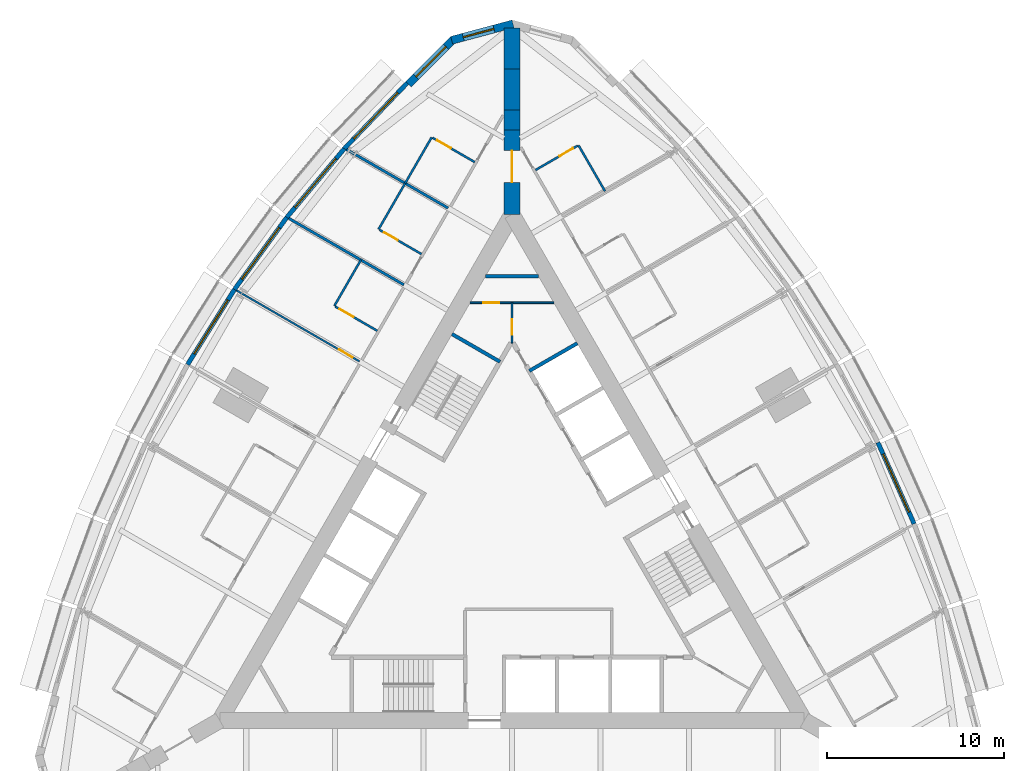
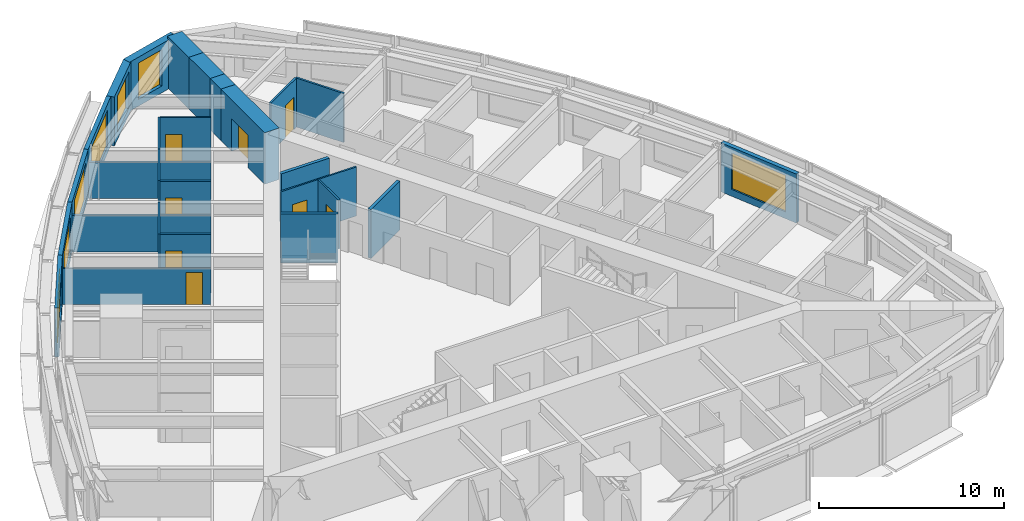
# One storey, part 12 of 14: 27 walls, 8 doors, 7 windows, 15 openings.
"""IFC4 building model written with IfcOpenShell, lengths in metres."""

from ifc_helpers import new_model, si_unit, direction, frame, frame_2d, origin, place, context, subcontext, project, spatial, polyline, rectangle, outline, extrude, material, layer, layer_set, type_object, element, fill, save


model = new_model("IFC4")

# Units and contexts
model_context = context("Model", 3, precision=1e-05, world=origin(), true_north=direction((0.0, 1.0)))
body_context = subcontext(model_context, "Body", "Model", "MODEL_VIEW")
ifc_project = project(units=[si_unit("LENGTHUNIT", "METRE"), si_unit("AREAUNIT", "SQUARE_METRE"), si_unit("VOLUMEUNIT", "CUBIC_METRE"), si_unit("PLANEANGLEUNIT", "RADIAN"), si_unit("MASSUNIT", "GRAM", prefix="KILO")], contexts=[model_context])

# Site, building, storey
site_placement = place(None, origin())
site = spatial("IfcSite", under=ifc_project, at=site_placement, CompositionType="ELEMENT")
building_placement = place(site_placement, origin())
building = spatial("IfcBuilding", under=site, at=building_placement, Name="Trikona Tower", CompositionType="ELEMENT")
storey_placement = place(building_placement, frame((0.0, 0.0, 145.300048828125)))
storey = spatial("IfcBuildingStorey", under=building, at=storey_placement, Name="L38", CompositionType="ELEMENT", Elevation=145.300048828125)

# Wall
ifc_material_1 = material(Name="Metal stud and cement board", Category="gypsum")
ifc_layer_1 = layer(ifc_material_1, 0.1201171875)
ifc_layer_set_1 = layer_set([ifc_layer_1], Name="Bathroom wall 120")
wall_type_1 = type_object("IfcWallType", Name="Bathroom wall 120", PredefinedType="PLUMBINGWALL", material=ifc_layer_set_1)
wall_1_placement = place(storey_placement, frame((5.25341796875, 20.353515625, 0.0), z_axis=(0.0, 0.0, 1.0), x_axis=(-0.499990139034, 0.866031096941, 0.0)))
element("IfcWall", 1, at=wall_1_placement, inside=storey, type_object=wall_type_1, Name="Bathroom wall 3812", PredefinedType="PLUMBINGWALL", context=body_context, shape_type="SweptSolid", body=[
    extrude(rectangle(XDim=3.0, YDim=0.1201171875, at=frame_2d((1.5, 0.0))), origin(), (0.0, 0.0, 1.0), 3.23486328125),
])

# Wall, opening, door
wall_2_placement = place(storey_placement, frame((1.32861328125, 21.551513671875, 0.0), z_axis=(0.0, 0.0, 1.0), x_axis=(0.865997131366, 0.500048966069, 0.0)))
wall_2 = element("IfcWall", 2, at=wall_2_placement, inside=storey, type_object=wall_type_1, Name="Bathroom wall 3812", PredefinedType="PLUMBINGWALL", context=body_context, shape_type="SweptSolid", body=[
    extrude(rectangle(XDim=2.739990234375, YDim=0.1201171875, at=frame_2d((1.3701171875, 0.0))), origin(), (0.0, 0.0, 1.0), 3.23486328125),
])
opening_1_placement = place(wall_2_placement, frame((1.550048828125, 0.0, 0.0)))
opening_1 = element("IfcOpeningElement", 3, at=opening_1_placement, cuts=wall_2, Name="Opening D2", PredefinedType="OPENING", context=body_context, shape_type="SweptSolid", body=[
    extrude(rectangle(XDim=0.89990234375, YDim=2.1298828125, at=frame_2d((0.449951171875, 1.06494140625))), frame((0.0, 0.070068359375, 0.0), z_axis=(0.0, -1.0, 0.0), x_axis=(1.0, 0.0, 0.0)), (0.0, 0.0, 1.0), 0.14013671875),
])
ifc_material_2 = material(Name="Steel door frame with solid-core timber leaf", Category="steel")
door_type_1 = type_object("IfcDoorType", Name="Bathroom door 900x2130", OperationType="SLIDING_TO_LEFT", PredefinedType="DOOR", material=ifc_material_2)
door_1_placement = place(opening_1_placement, origin())
door_1 = element("IfcDoor", 4, at=door_1_placement, inside=storey, type_object=door_type_1, Name="Bathroom door 3812", OperationType="SLIDING_TO_LEFT", OverallHeight=2.1298828125, OverallWidth=0.89990234375, PredefinedType="DOOR", context=body_context, shape_type="SweptSolid", body=[
    extrude(rectangle(XDim=0.89990234375, YDim=2.1298828125, at=frame_2d((0.449951171875, 1.06494140625))), frame((0.0, 0.02490234375, 0.0), z_axis=(0.0, -1.0, 0.0), x_axis=(1.0, 0.0, 0.0)), (0.0, 0.0, 1.0), 0.050048828125),
])
fill(opening_1, door_1)

# Wall
wall_3_placement = place(storey_placement, frame((-4.53271484375, 23.401611328125, 0.0), z_axis=(0.0, 0.0, 1.0), x_axis=(-0.499990139034, -0.866031096941, 0.0)))
element("IfcWall", 5, at=wall_3_placement, inside=storey, type_object=wall_type_1, Name="Bathroom wall 3813", PredefinedType="PLUMBINGWALL", context=body_context, shape_type="SweptSolid", body=[
    extrude(rectangle(XDim=3.0, YDim=0.1201171875, at=frame_2d((1.5, 0.0))), origin(), (0.0, 0.0, 1.0), 3.23486328125),
])

# Wall, opening, door
wall_4_placement = place(storey_placement, frame((-2.10791015625, 22.001708984375, 0.0), z_axis=(0.0, 0.0, 1.0), x_axis=(-0.866035715982, 0.499982138324, 0.0)))
wall_4 = element("IfcWall", 6, at=wall_4_placement, inside=storey, type_object=wall_type_1, Name="Bathroom wall 3813", PredefinedType="PLUMBINGWALL", context=body_context, shape_type="SweptSolid", body=[
    extrude(rectangle(XDim=2.73974609375, YDim=0.1201171875, at=frame_2d((1.369873046875, 0.0))), origin(), (0.0, 0.0, 1.0), 3.23486328125),
])
opening_2_placement = place(wall_4_placement, frame((1.550048828125, 0.0, 0.0)))
opening_2 = element("IfcOpeningElement", 7, at=opening_2_placement, cuts=wall_4, Name="Opening D2", PredefinedType="OPENING", context=body_context, shape_type="SweptSolid", body=[
    extrude(rectangle(XDim=0.89990234375, YDim=2.1298828125, at=frame_2d((0.449951171875, 1.06494140625))), frame((0.0, 0.070068359375, 0.0), z_axis=(0.0, -1.0, 0.0), x_axis=(1.0, 0.0, 0.0)), (0.0, 0.0, 1.0), 0.14013671875),
])
door_2_placement = place(opening_2_placement, origin())
door_2 = element("IfcDoor", 8, at=door_2_placement, inside=storey, type_object=door_type_1, Name="Bathroom door 3813", OperationType="SLIDING_TO_LEFT", OverallHeight=2.1298828125, OverallWidth=0.89990234375, PredefinedType="DOOR", context=body_context, shape_type="SweptSolid", body=[
    extrude(rectangle(XDim=0.89990234375, YDim=2.1298828125, at=frame_2d((0.449951171875, 1.06494140625))), frame((0.0, 0.02490234375, 0.0), z_axis=(0.0, -1.0, 0.0), x_axis=(1.0, 0.0, 0.0)), (0.0, 0.0, 1.0), 0.050048828125),
])
fill(opening_2, door_2)

# Wall
wall_5_placement = place(storey_placement, frame((-6.03271484375, 20.803466796875, 0.0), z_axis=(0.0, 0.0, 1.0), x_axis=(-0.499990139034, -0.866031096941, 0.0)))
element("IfcWall", 9, at=wall_5_placement, inside=storey, type_object=wall_type_1, Name="Bathroom wall 3814", PredefinedType="PLUMBINGWALL", context=body_context, shape_type="SweptSolid", body=[
    extrude(rectangle(XDim=3.0, YDim=0.1201171875, at=frame_2d((1.5, 0.0))), origin(), (0.0, 0.0, 1.0), 3.23486328125),
])

# Wall, opening, door
wall_6_placement = place(storey_placement, frame((-5.10791015625, 16.805419921875, 0.0), z_axis=(0.0, 0.0, 1.0), x_axis=(-0.866035715982, 0.499982138324, 0.0)))
wall_6 = element("IfcWall", 10, at=wall_6_placement, inside=storey, type_object=wall_type_1, Name="Bathroom wall 3814", PredefinedType="PLUMBINGWALL", context=body_context, shape_type="SweptSolid", body=[
    extrude(rectangle(XDim=2.73974609375, YDim=0.1201171875, at=frame_2d((1.369873046875, 0.0))), origin(), (0.0, 0.0, 1.0), 3.23486328125),
])
opening_3_placement = place(wall_6_placement, frame((1.550048828125, 0.0, 0.0)))
opening_3 = element("IfcOpeningElement", 11, at=opening_3_placement, cuts=wall_6, Name="Opening D2", PredefinedType="OPENING", context=body_context, shape_type="SweptSolid", body=[
    extrude(rectangle(XDim=0.89990234375, YDim=2.1298828125, at=frame_2d((0.449951171875, 1.06494140625))), frame((0.0, 0.070068359375, 0.0), z_axis=(0.0, -1.0, 0.0), x_axis=(1.0, 0.0, 0.0)), (0.0, 0.0, 1.0), 0.14013671875),
])
door_3_placement = place(opening_3_placement, origin())
door_3 = element("IfcDoor", 12, at=door_3_placement, inside=storey, type_object=door_type_1, Name="Bathroom door 3814", OperationType="SLIDING_TO_LEFT", OverallHeight=2.1298828125, OverallWidth=0.89990234375, PredefinedType="DOOR", context=body_context, shape_type="SweptSolid", body=[
    extrude(rectangle(XDim=0.89990234375, YDim=2.1298828125, at=frame_2d((0.449951171875, 1.06494140625))), frame((0.0, 0.02490234375, 0.0), z_axis=(0.0, -1.0, 0.0), x_axis=(1.0, 0.0, 0.0)), (0.0, 0.0, 1.0), 0.050048828125),
])
fill(opening_3, door_3)

# Wall
wall_7_placement = place(storey_placement, frame((-8.53271484375, 16.473388671875, 0.0), z_axis=(0.0, 0.0, 1.0), x_axis=(-0.499990139034, -0.866031096941, 0.0)))
element("IfcWall", 13, at=wall_7_placement, inside=storey, type_object=wall_type_1, Name="Bathroom wall 3815.1", PredefinedType="PLUMBINGWALL", context=body_context, shape_type="SweptSolid", body=[
    extrude(rectangle(XDim=3.0, YDim=0.1201171875, at=frame_2d((1.5, 0.0))), origin(), (0.0, 0.0, 1.0), 3.23486328125),
])

# Wall, opening, door
wall_8_placement = place(storey_placement, frame((-7.60791015625, 12.475341796875, 0.0), z_axis=(0.0, 0.0, 1.0), x_axis=(-0.866035715982, 0.499982138324, 0.0)))
wall_8 = element("IfcWall", 14, at=wall_8_placement, inside=storey, type_object=wall_type_1, Name="Bathroom wall 3815.1", PredefinedType="PLUMBINGWALL", context=body_context, shape_type="SweptSolid", body=[
    extrude(rectangle(XDim=2.73974609375, YDim=0.1201171875, at=frame_2d((1.369873046875, 0.0))), origin(), (0.0, 0.0, 1.0), 3.23486328125),
])
opening_4_placement = place(wall_8_placement, frame((1.550048828125, 0.0, 0.0)))
opening_4 = element("IfcOpeningElement", 15, at=opening_4_placement, cuts=wall_8, Name="Opening D2", PredefinedType="OPENING", context=body_context, shape_type="SweptSolid", body=[
    extrude(rectangle(XDim=0.89990234375, YDim=2.1298828125, at=frame_2d((0.449951171875, 1.06494140625))), frame((0.0, 0.070068359375, 0.0), z_axis=(0.0, -1.0, 0.0), x_axis=(1.0, 0.0, 0.0)), (0.0, 0.0, 1.0), 0.14013671875),
])
door_4_placement = place(opening_4_placement, origin())
door_4 = element("IfcDoor", 16, at=door_4_placement, inside=storey, type_object=door_type_1, Name="Bathroom door 3815.1", OperationType="SLIDING_TO_LEFT", OverallHeight=2.1298828125, OverallWidth=0.89990234375, PredefinedType="DOOR", context=body_context, shape_type="SweptSolid", body=[
    extrude(rectangle(XDim=0.89990234375, YDim=2.1298828125, at=frame_2d((0.449951171875, 1.06494140625))), frame((0.0, 0.02490234375, 0.0), z_axis=(0.0, -1.0, 0.0), x_axis=(1.0, 0.0, 0.0)), (0.0, 0.0, 1.0), 0.050048828125),
])
fill(opening_4, door_4)

# Wall, opening, window
ifc_material_3 = material(Name="Brick-faced precast concrete", Category="masonry")
ifc_layer_2 = layer(ifc_material_3, 0.449951171875)
ifc_layer_set_2 = layer_set([ifc_layer_2], Name="Brick-faced corner wall 450")
wall_type_2 = type_object("IfcWallType", Name="Brick-faced corner wall 450", PredefinedType="SOLIDWALL", material=ifc_layer_set_2)
wall_9_placement = place(storey_placement, frame((0.05810546875, 29.804931640625, 0.0), z_axis=(0.0, 0.0, 1.0), x_axis=(-0.965924653531, -0.258823421857, 0.0)))
wall_9 = element("IfcWall", 17, at=wall_9_placement, inside=storey, type_object=wall_type_2, Name="External wall L38-22", PredefinedType="SOLIDWALL", context=body_context, shape_type="SweptSolid", body=[
    extrude(outline(polyline([(3.58642578125, 0.22509765625), (0.58642578125, 0.22509765625), (0.551025390625, 0.09326171875), (0.0595703125, 0.22509765625), (0.0, 0.22509765625), (0.0, -0.22509765625), (3.58642578125, -0.22509765625), (3.58642578125, 0.22509765625)])), origin(), (0.0, 0.0, 1.0), 3.23486328125),
])
opening_5_placement = place(wall_9_placement, frame((1.111328125, 0.0, 0.449951171875)))
opening_5 = element("IfcOpeningElement", 18, at=opening_5_placement, cuts=wall_9, Name="Opening W1824", PredefinedType="OPENING", context=body_context, shape_type="SweptSolid", body=[
    extrude(rectangle(XDim=1.800048828125, YDim=2.39990234375, at=frame_2d((0.89990234375, 1.199951171875))), frame((0.0, 0.23486328125, 0.0), z_axis=(0.0, -1.0, 0.0), x_axis=(1.0, 0.0, 0.0)), (0.0, 0.0, 1.0), 0.469970703125),
])
ifc_material_4 = material(Name="Aluminium-framed double glazing", Category="aluminium")
window_type_1 = type_object("IfcWindowType", Name="Window 1800x2400", PartitioningType="SINGLE_PANEL", PredefinedType="WINDOW", material=ifc_material_4)
window_1_placement = place(opening_5_placement, origin())
window_1 = element("IfcWindow", 19, at=window_1_placement, inside=storey, type_object=window_type_1, Name="Window 3813", OverallHeight=2.39990234375, OverallWidth=1.800048828125, PartitioningType="SINGLE_PANEL", PredefinedType="WINDOW", context=body_context, shape_type="SweptSolid", body=[
    extrude(rectangle(XDim=1.800048828125, YDim=2.39990234375, at=frame_2d((0.89990234375, 1.199951171875))), frame((0.0, 0.030029296875, 0.0), z_axis=(0.0, -1.0, 0.0), x_axis=(1.0, 0.0, 0.0)), (0.0, 0.0, 1.0), 0.06005859375),
])
fill(opening_5, window_1)

wall_10_placement = place(storey_placement, frame((-3.304931640625, 28.934814453125, 0.0), z_axis=(0.0, 0.0, 1.0), x_axis=(-0.707106781187, -0.707106781187, 0.0)))
wall_10 = element("IfcWall", 20, at=wall_10_placement, inside=storey, type_object=wall_type_2, Name="External wall L38-23", PredefinedType="SOLIDWALL", context=body_context, shape_type="SweptSolid", body=[
    extrude(rectangle(XDim=3.586181640625, YDim=0.449951171875, at=frame_2d((1.79296875, 0.0))), origin(), (0.0, 0.0, 1.0), 3.23486328125),
])
opening_6_placement = place(wall_10_placement, frame((0.59326171875, 0.0, 0.449951171875)))
opening_6 = element("IfcOpeningElement", 21, at=opening_6_placement, cuts=wall_10, Name="Opening W2424", PredefinedType="OPENING", context=body_context, shape_type="SweptSolid", body=[
    extrude(rectangle(XDim=2.39990234375, YDim=2.39990234375, at=frame_2d((1.199951171875, 1.199951171875))), frame((0.0, 0.23486328125, 0.0), z_axis=(0.0, -1.0, 0.0), x_axis=(1.0, 0.0, 0.0)), (0.0, 0.0, 1.0), 0.469970703125),
])
ifc_material_5 = material(Name="Aluminium-framed double glazing", Category="aluminium")
window_type_2 = type_object("IfcWindowType", Name="Window 2400x2400", PartitioningType="SINGLE_PANEL", PredefinedType="WINDOW", material=ifc_material_5)
window_2_placement = place(opening_6_placement, origin())
window_2 = element("IfcWindow", 22, at=window_2_placement, inside=storey, type_object=window_type_2, Name="Window 3813", OverallHeight=2.39990234375, OverallWidth=2.39990234375, PartitioningType="SINGLE_PANEL", PredefinedType="WINDOW", context=body_context, shape_type="SweptSolid", body=[
    extrude(rectangle(XDim=2.39990234375, YDim=2.39990234375, at=frame_2d((1.199951171875, 1.199951171875))), frame((0.0, 0.030029296875, 0.0), z_axis=(0.0, -1.0, 0.0), x_axis=(1.0, 0.0, 0.0)), (0.0, 0.0, 1.0), 0.06005859375),
])
fill(opening_6, window_2)

# Wall, opening, door
ifc_material_6 = material(Name="Concrete f'c 10000 psi", Category="concrete")
ifc_layer_3 = layer(ifc_material_6, 0.89990234375)
ifc_layer_set_3 = layer_set([ifc_layer_3], Name="Buttress wall 900")
wall_type_3 = type_object("IfcWallType", Name="Buttress wall 900", PredefinedType="SHEAR", material=ifc_layer_set_3)
wall_11_placement = place(storey_placement, frame((0.0, 19.052490234375, 0.0), z_axis=(0.0, 0.0, 1.0), x_axis=(0.0, 1.0, 0.0)))
wall_11 = element("IfcWall", 23, at=wall_11_placement, inside=storey, type_object=wall_type_3, Name="Buttress wall 2", PredefinedType="SHEAR", context=body_context, shape_type="SweptSolid", body=[
    extrude(rectangle(XDim=4.74609375, YDim=0.89990234375, at=frame_2d((2.373046875, 0.0))), origin(), (0.0, 0.0, 1.0), 3.39990234375),
])
opening_7_placement = place(wall_11_placement, frame((1.800048828125, 0.0, 0.0)))
opening_7 = element("IfcOpeningElement", 24, at=opening_7_placement, cuts=wall_11, Name="Opening D10", PredefinedType="OPENING", context=body_context, shape_type="SweptSolid", body=[
    extrude(rectangle(XDim=1.800048828125, YDim=2.1298828125, at=frame_2d((0.89990234375, 1.06494140625))), frame((0.0, 0.4599609375, 0.0), z_axis=(0.0, -1.0, 0.0), x_axis=(1.0, 0.0, 0.0)), (0.0, 0.0, 1.0), 0.919921875),
])
ifc_material_7 = material(Name="Hollow metal door and frame", Category="steel")
door_type_2 = type_object("IfcDoorType", Name="Cross-corridor door pair 1800x2130", OperationType="DOUBLE_DOOR_DOUBLE_SWING", PredefinedType="DOOR", material=ifc_material_7)
door_5_placement = place(opening_7_placement, origin())
door_5 = element("IfcDoor", 25, at=door_5_placement, inside=storey, type_object=door_type_2, Name="Cross-corridor door 2", OperationType="DOUBLE_DOOR_DOUBLE_SWING", OverallHeight=2.1298828125, OverallWidth=1.800048828125, PredefinedType="DOOR", context=body_context, shape_type="SweptSolid", body=[
    extrude(rectangle(XDim=1.800048828125, YDim=2.1298828125, at=frame_2d((0.89990234375, 1.06494140625))), frame((0.0, 0.02490234375, 0.0), z_axis=(0.0, -1.0, 0.0), x_axis=(1.0, 0.0, 0.0)), (0.0, 0.0, 1.0), 0.050048828125),
])
fill(opening_7, door_5)

# Walls
wall_12_placement = place(storey_placement, frame((0.0, 23.798583984375, 0.0), z_axis=(0.0, 0.0, 1.0), x_axis=(0.0, 1.0, 0.0)))
element("IfcWall", 26, at=wall_12_placement, inside=storey, type_object=wall_type_3, Name="Buttress wall 2 part 2", PredefinedType="SHEAR", context=body_context, shape_type="SweptSolid", body=[
    extrude(rectangle(XDim=1.15478515625, YDim=0.89990234375, at=frame_2d((0.577392578125, 0.0))), origin(), (0.0, 0.0, 1.0), 3.39990234375),
])
wall_13_placement = place(storey_placement, frame((0.0, 24.953369140625, 0.0), z_axis=(0.0, 0.0, 1.0), x_axis=(0.0, 1.0, 0.0)))
element("IfcWall", 27, at=wall_13_placement, inside=storey, type_object=wall_type_3, Name="Buttress wall 2 part 3", PredefinedType="SHEAR", context=body_context, shape_type="SweptSolid", body=[
    extrude(rectangle(XDim=2.309326171875, YDim=0.89990234375, at=frame_2d((1.15478515625, 0.0))), origin(), (0.0, 0.0, 1.0), 3.39990234375),
])
wall_14_placement = place(storey_placement, frame((0.0, 27.2626953125, 0.0), z_axis=(0.0, 0.0, 1.0), x_axis=(0.0, 1.0, 0.0)))
element("IfcWall", 28, at=wall_14_placement, inside=storey, type_object=wall_type_3, Name="Buttress wall 2 part 4", PredefinedType="SHEAR", context=body_context, shape_type="SweptSolid", body=[
    extrude(rectangle(XDim=2.3095703125, YDim=0.89990234375, at=frame_2d((1.15478515625, 0.0))), origin(), (0.0, 0.0, 1.0), 3.39990234375),
])

# Wall, opening, window
ifc_material_8 = material(Name="Insulated precast concrete spandrel panel", Category="concrete")
ifc_layer_4 = layer(ifc_material_8, 0.25)
ifc_layer_set_4 = layer_set([ifc_layer_4], Name="Inner skin wall 250")
wall_type_4 = type_object("IfcWallType", Name="Inner skin wall 250", PredefinedType="STANDARD", material=ifc_layer_set_4)
wall_15_placement = place(storey_placement, frame((22.70458984375, 1.576416015625, 0.0), z_axis=(0.0, 0.0, 1.0), x_axis=(-0.406832200364, 0.913502906808, 0.0)))
wall_15 = element("IfcWall", 29, at=wall_15_placement, inside=storey, type_object=wall_type_4, Name="External wall L38-14", PredefinedType="STANDARD", context=body_context, shape_type="SweptSolid", body=[
    extrude(rectangle(XDim=5.027587890625, YDim=0.25, at=frame_2d((2.513671875, 0.0))), origin(), (0.0, 0.0, 1.0), 3.23486328125),
])
opening_8_placement = place(wall_15_placement, frame((0.713623046875, 0.0, 0.449951171875)))
opening_8 = element("IfcOpeningElement", 30, at=opening_8_placement, cuts=wall_15, Name="Opening W3624", PredefinedType="OPENING", context=body_context, shape_type="SweptSolid", body=[
    extrude(rectangle(XDim=3.60009765625, YDim=2.39990234375, at=frame_2d((1.800048828125, 1.199951171875))), frame((0.0, 0.135009765625, 0.0), z_axis=(0.0, -1.0, 0.0), x_axis=(1.0, 0.0, 0.0)), (0.0, 0.0, 1.0), 0.27001953125),
])
ifc_material_9 = material(Name="Aluminium-framed double glazing", Category="aluminium")
window_type_3 = type_object("IfcWindowType", Name="Window 3600x2400", PartitioningType="SINGLE_PANEL", PredefinedType="WINDOW", material=ifc_material_9)
window_3_placement = place(opening_8_placement, origin())
window_3 = element("IfcWindow", 31, at=window_3_placement, inside=storey, type_object=window_type_3, Name="Window 3808.1", OverallHeight=2.39990234375, OverallWidth=3.60009765625, PartitioningType="SINGLE_PANEL", PredefinedType="WINDOW", context=body_context, shape_type="SweptSolid", body=[
    extrude(rectangle(XDim=3.60009765625, YDim=2.39990234375, at=frame_2d((1.800048828125, 1.199951171875))), frame((0.0, 0.030029296875, 0.0), z_axis=(0.0, -1.0, 0.0), x_axis=(1.0, 0.0, 0.0)), (0.0, 0.0, 1.0), 0.06005859375),
])
fill(opening_8, window_3)

wall_16_placement = place(storey_placement, frame((-5.90966796875, 26.4716796875, 0.0), z_axis=(0.0, 0.0, 1.0), x_axis=(-0.691719937936, -0.722165858693, 0.0)))
wall_16 = element("IfcWall", 32, at=wall_16_placement, inside=storey, type_object=wall_type_4, Name="External wall L38-24", PredefinedType="STANDARD", context=body_context, shape_type="SweptSolid", body=[
    extrude(rectangle(XDim=5.148193359375, YDim=0.25, at=frame_2d((2.57421875, 0.0))), origin(), (0.0, 0.0, 1.0), 3.23486328125),
])
opening_9_placement = place(wall_16_placement, frame((0.77392578125, 0.0, 0.449951171875)))
opening_9 = element("IfcOpeningElement", 33, at=opening_9_placement, cuts=wall_16, Name="Opening W3624", PredefinedType="OPENING", context=body_context, shape_type="SweptSolid", body=[
    extrude(rectangle(XDim=3.60009765625, YDim=2.39990234375, at=frame_2d((1.800048828125, 1.199951171875))), frame((0.0, 0.135009765625, 0.0), z_axis=(0.0, -1.0, 0.0), x_axis=(1.0, 0.0, 0.0)), (0.0, 0.0, 1.0), 0.27001953125),
])
window_4_placement = place(opening_9_placement, origin())
window_4 = element("IfcWindow", 34, at=window_4_placement, inside=storey, type_object=window_type_3, Name="Window 3813", OverallHeight=2.39990234375, OverallWidth=3.60009765625, PartitioningType="SINGLE_PANEL", PredefinedType="WINDOW", context=body_context, shape_type="SweptSolid", body=[
    extrude(rectangle(XDim=3.60009765625, YDim=2.39990234375, at=frame_2d((1.800048828125, 1.199951171875))), frame((0.0, 0.030029296875, 0.0), z_axis=(0.0, -1.0, 0.0), x_axis=(1.0, 0.0, 0.0)), (0.0, 0.0, 1.0), 0.06005859375),
])
fill(opening_9, window_4)

wall_17_placement = place(storey_placement, frame((-9.465087890625, 22.76025390625, 0.0), z_axis=(0.0, 0.0, 1.0), x_axis=(-0.641810386606, -0.766863369607, 0.0)))
wall_17 = element("IfcWall", 35, at=wall_17_placement, inside=storey, type_object=wall_type_4, Name="External wall L38-25", PredefinedType="STANDARD", context=body_context, shape_type="SweptSolid", body=[
    extrude(rectangle(XDim=5.075927734375, YDim=0.25, at=frame_2d((2.5380859375, 0.0))), origin(), (0.0, 0.0, 1.0), 3.23486328125),
])
opening_10_placement = place(wall_17_placement, frame((0.738037109375, 0.0, 0.449951171875)))
opening_10 = element("IfcOpeningElement", 36, at=opening_10_placement, cuts=wall_17, Name="Opening W3624", PredefinedType="OPENING", context=body_context, shape_type="SweptSolid", body=[
    extrude(rectangle(XDim=3.60009765625, YDim=2.39990234375, at=frame_2d((1.800048828125, 1.199951171875))), frame((0.0, 0.135009765625, 0.0), z_axis=(0.0, -1.0, 0.0), x_axis=(1.0, 0.0, 0.0)), (0.0, 0.0, 1.0), 0.27001953125),
])
window_5_placement = place(opening_10_placement, origin())
window_5 = element("IfcWindow", 37, at=window_5_placement, inside=storey, type_object=window_type_3, Name="Window 3814", OverallHeight=2.39990234375, OverallWidth=3.60009765625, PartitioningType="SINGLE_PANEL", PredefinedType="WINDOW", context=body_context, shape_type="SweptSolid", body=[
    extrude(rectangle(XDim=3.60009765625, YDim=2.39990234375, at=frame_2d((1.800048828125, 1.199951171875))), frame((0.0, 0.030029296875, 0.0), z_axis=(0.0, -1.0, 0.0), x_axis=(1.0, 0.0, 0.0)), (0.0, 0.0, 1.0), 0.06005859375),
])
fill(opening_10, window_5)

wall_18_placement = place(storey_placement, frame((-12.717529296875, 18.87451171875, 0.0), z_axis=(0.0, 0.0, 1.0), x_axis=(-0.587669188412, -0.809101307001, 0.0)))
wall_18 = element("IfcWall", 38, at=wall_18_placement, inside=storey, type_object=wall_type_4, Name="External wall L38-26", PredefinedType="STANDARD", context=body_context, shape_type="SweptSolid", body=[
    extrude(rectangle(XDim=5.027587890625, YDim=0.25, at=frame_2d((2.513671875, 0.0))), origin(), (0.0, 0.0, 1.0), 3.23486328125),
])
opening_11_placement = place(wall_18_placement, frame((0.7138671875, 0.0, 0.449951171875)))
opening_11 = element("IfcOpeningElement", 39, at=opening_11_placement, cuts=wall_18, Name="Opening W3624", PredefinedType="OPENING", context=body_context, shape_type="SweptSolid", body=[
    extrude(rectangle(XDim=3.60009765625, YDim=2.39990234375, at=frame_2d((1.800048828125, 1.199951171875))), frame((0.0, 0.135009765625, 0.0), z_axis=(0.0, -1.0, 0.0), x_axis=(1.0, 0.0, 0.0)), (0.0, 0.0, 1.0), 0.27001953125),
])
window_6_placement = place(opening_11_placement, origin())
window_6 = element("IfcWindow", 40, at=window_6_placement, inside=storey, type_object=window_type_3, Name="Window 3815.1", OverallHeight=2.39990234375, OverallWidth=3.60009765625, PartitioningType="SINGLE_PANEL", PredefinedType="WINDOW", context=body_context, shape_type="SweptSolid", body=[
    extrude(rectangle(XDim=3.60009765625, YDim=2.39990234375, at=frame_2d((1.800048828125, 1.199951171875))), frame((0.0, 0.030029296875, 0.0), z_axis=(0.0, -1.0, 0.0), x_axis=(1.0, 0.0, 0.0)), (0.0, 0.0, 1.0), 0.06005859375),
])
fill(opening_11, window_6)

wall_19_placement = place(storey_placement, frame((-15.667236328125, 14.81396484375, 0.0), z_axis=(0.0, 0.0, 1.0), x_axis=(-0.529990167382, -0.84800378683, 0.0)))
wall_19 = element("IfcWall", 41, at=wall_19_placement, inside=storey, type_object=wall_type_4, Name="External wall L38-27", PredefinedType="STANDARD", context=body_context, shape_type="SweptSolid", body=[
    extrude(rectangle(XDim=5.003173828125, YDim=0.25, at=frame_2d((2.50146484375, 0.0))), origin(), (0.0, 0.0, 1.0), 3.23486328125),
])
opening_12_placement = place(wall_19_placement, frame((0.701416015625, 0.0, 0.449951171875)))
opening_12 = element("IfcOpeningElement", 42, at=opening_12_placement, cuts=wall_19, Name="Opening W3624", PredefinedType="OPENING", context=body_context, shape_type="SweptSolid", body=[
    extrude(rectangle(XDim=3.60009765625, YDim=2.39990234375, at=frame_2d((1.800048828125, 1.199951171875))), frame((0.0, 0.135009765625, 0.0), z_axis=(0.0, -1.0, 0.0), x_axis=(1.0, 0.0, 0.0)), (0.0, 0.0, 1.0), 0.27001953125),
])
window_7_placement = place(opening_12_placement, origin())
window_7 = element("IfcWindow", 43, at=window_7_placement, inside=storey, type_object=window_type_3, Name="Window 3815", OverallHeight=2.39990234375, OverallWidth=3.60009765625, PartitioningType="SINGLE_PANEL", PredefinedType="WINDOW", context=body_context, shape_type="SweptSolid", body=[
    extrude(rectangle(XDim=3.60009765625, YDim=2.39990234375, at=frame_2d((1.800048828125, 1.199951171875))), frame((0.0, 0.030029296875, 0.0), z_axis=(0.0, -1.0, 0.0), x_axis=(1.0, 0.0, 0.0)), (0.0, 0.0, 1.0), 0.06005859375),
])
fill(opening_12, window_7)

# Walls
ifc_material_10 = material(Name="Metal stud and gypsum board, 1-hour acoustic", Category="gypsum")
ifc_layer_5 = layer(ifc_material_10, 0.14990234375)
ifc_layer_set_5 = layer_set([ifc_layer_5], Name="Party wall 150")
wall_type_5 = type_object("IfcWallType", Name="Party wall 150", PredefinedType="PARTITIONING", material=ifc_layer_set_5)
wall_20_placement = place(storey_placement, frame((-3.60791015625, 19.403564453125, 0.0), z_axis=(0.0, 0.0, 1.0), x_axis=(-0.866015989873, 0.500016305018, 0.0)))
element("IfcWall", 44, at=wall_20_placement, inside=storey, type_object=wall_type_5, Name="Partition L38 F3 u-15", PredefinedType="PARTITIONING", context=body_context, shape_type="SweptSolid", body=[
    extrude(rectangle(XDim=6.616455078125, YDim=0.14990234375, at=frame_2d((3.30810546875, 0.0))), origin(), (0.0, 0.0, 1.0), 2.38916015625),
])
wall_21_placement = place(storey_placement, frame((-6.10791015625, 15.073486328125, 0.0), z_axis=(0.0, 0.0, 1.0), x_axis=(-0.866025567496, 0.499999716443, 0.0)))
element("IfcWall", 45, at=wall_21_placement, inside=storey, type_object=wall_type_5, Name="Partition L38 F3 u-10", PredefinedType="PARTITIONING", context=body_context, shape_type="SweptSolid", body=[
    extrude(rectangle(XDim=7.4951171875, YDim=0.14990234375, at=frame_2d((3.74755859375, 0.0))), origin(), (0.0, 0.0, 1.0), 2.38916015625),
])
ifc_material_11 = material(Name="Concrete f'c 8000 psi", Category="concrete")
ifc_layer_6 = layer(ifc_material_11, 0.199951171875)
ifc_layer_set_6 = layer_set([ifc_layer_6], Name="Shaft wall 200")
wall_type_6 = type_object("IfcWallType", Name="Shaft wall 200", PredefinedType="SOLIDWALL", material=ifc_layer_set_6)
wall_22_placement = place(storey_placement, frame((0.97900390625, 10.20703125, 0.0), z_axis=(0.0, 0.0, 1.0), x_axis=(0.866022959057, 0.500004234368, 0.0)))
element("IfcWall", 46, at=wall_22_placement, inside=storey, type_object=wall_type_6, Name="Shaft wall B6", PredefinedType="SOLIDWALL", context=body_context, shape_type="SweptSolid", body=[
    extrude(rectangle(XDim=3.125, YDim=0.199951171875, at=frame_2d((1.5625, 0.0))), origin(), (0.0, 0.0, 1.0), 3.23486328125),
])
wall_23_placement = place(storey_placement, frame((-1.501220703125, 15.552490234375, 0.0), z_axis=(0.0, 0.0, 1.0), x_axis=(1.0, 0.0, 0.0)))
element("IfcWall", 47, at=wall_23_placement, inside=storey, type_object=wall_type_6, Name="Riser wall L38-RS2", PredefinedType="SOLIDWALL", context=body_context, shape_type="SweptSolid", body=[
    extrude(rectangle(XDim=3.00244140625, YDim=0.199951171875, at=frame_2d((1.501220703125, 0.0))), origin(), (0.0, 0.0, 1.0), 3.23486328125),
])
ifc_material_12 = material(Name="Concrete f'c 8000 psi", Category="concrete")
ifc_layer_7 = layer(ifc_material_12, 0.199951171875)
ifc_layer_set_7 = layer_set([ifc_layer_7], Name="Shaft wall 200 load-bearing")
wall_type_7 = type_object("IfcWallType", Name="Shaft wall 200 load-bearing", PredefinedType="SOLIDWALL", material=ifc_layer_set_7)
wall_24_placement = place(storey_placement, frame((-0.678955078125, 10.7265625, 0.0), z_axis=(0.0, 0.0, 1.0), x_axis=(-0.866022959057, 0.500004234368, 0.0)))
element("IfcWall", 48, at=wall_24_placement, inside=storey, type_object=wall_type_7, Name="Shaft wall C1", PredefinedType="SOLIDWALL", context=body_context, shape_type="SweptSolid", body=[
    extrude(rectangle(XDim=3.125, YDim=0.199951171875, at=frame_2d((1.5625, 0.0))), origin(), (0.0, 0.0, 1.0), 3.23486328125),
])

# Wall, opening, door
ifc_material_13 = material(Name="Metal stud and gypsum board, acoustic", Category="gypsum")
ifc_layer_8 = layer(ifc_material_13, 0.10009765625)
ifc_layer_set_8 = layer_set([ifc_layer_8], Name="Suite partition 100")
wall_type_8 = type_object("IfcWallType", Name="Suite partition 100", PredefinedType="PARTITIONING", material=ifc_layer_set_8)
wall_25_placement = place(storey_placement, frame((-8.60791015625, 10.743408203125, 0.0), z_axis=(0.0, 0.0, 1.0), x_axis=(-0.866041663918, 0.499971835565, 0.0)))
wall_25 = element("IfcWall", 49, at=wall_25_placement, inside=storey, type_object=wall_type_8, Name="Suite partition L38 F3 u-5", PredefinedType="PARTITIONING", context=body_context, shape_type="SweptSolid", body=[
    extrude(rectangle(XDim=8.0224609375, YDim=0.10009765625, at=frame_2d((4.01123046875, 0.0))), origin(), (0.0, 0.0, 1.0), 2.38916015625),
])
opening_13_placement = place(wall_25_placement, frame((0.449951171875, 0.0, 0.0)))
opening_13 = element("IfcOpeningElement", 50, at=opening_13_placement, cuts=wall_25, Name="Opening D13", PredefinedType="OPENING", context=body_context, shape_type="SweptSolid", body=[
    extrude(rectangle(XDim=0.89990234375, YDim=2.1298828125, at=frame_2d((0.449951171875, 1.06494140625))), frame((0.0, 0.06005859375, 0.0), z_axis=(0.0, -1.0, 0.0), x_axis=(1.0, 0.0, 0.0)), (0.0, 0.0, 1.0), 0.1201171875),
])
ifc_material_14 = material(Name="Steel door frame with solid-core timber leaf", Category="steel")
door_type_3 = type_object("IfcDoorType", Name="Suite door 900x2130", OperationType="SINGLE_SWING_LEFT", PredefinedType="DOOR", material=ifc_material_14)
door_6_placement = place(opening_13_placement, origin())
door_6 = element("IfcDoor", 51, at=door_6_placement, inside=storey, type_object=door_type_3, Name="Suite door 3815", OperationType="SINGLE_SWING_LEFT", OverallHeight=2.1298828125, OverallWidth=0.89990234375, PredefinedType="DOOR", context=body_context, shape_type="SweptSolid", body=[
    extrude(rectangle(XDim=0.89990234375, YDim=2.1298828125, at=frame_2d((0.449951171875, 1.06494140625))), frame((0.0, 0.02490234375, 0.0), z_axis=(0.0, -1.0, 0.0), x_axis=(1.0, 0.0, 0.0)), (0.0, 0.0, 1.0), 0.050048828125),
])
fill(opening_13, door_6)

wall_26_placement = place(storey_placement, frame((-2.3671875, 14.052490234375, 0.0), z_axis=(0.0, 0.0, 1.0), x_axis=(1.0, 0.0, 0.0)))
wall_26 = element("IfcWall", 52, at=wall_26_placement, inside=storey, type_object=wall_type_8, Name="Store partition L38-RS2", PredefinedType="PARTITIONING", context=body_context, shape_type="SweptSolid", body=[
    extrude(rectangle(XDim=4.734375, YDim=0.10009765625, at=frame_2d((2.3671875, 0.0))), origin(), (0.0, 0.0, 1.0), 3.23486328125),
])
opening_14_placement = place(wall_26_placement, frame((0.733642578125, 0.0, 0.0)))
opening_14 = element("IfcOpeningElement", 53, at=opening_14_placement, cuts=wall_26, Name="Opening D15", PredefinedType="OPENING", context=body_context, shape_type="SweptSolid", body=[
    extrude(rectangle(XDim=0.89990234375, YDim=2.1298828125, at=frame_2d((0.449951171875, 1.06494140625))), frame((0.0, 0.06005859375, 0.0), z_axis=(0.0, -1.0, 0.0), x_axis=(1.0, 0.0, 0.0)), (0.0, 0.0, 1.0), 0.1201171875),
])
ifc_material_15 = material(Name="Steel door frame with solid-core timber leaf", Category="steel")
door_type_4 = type_object("IfcDoorType", Name="Store door 900x2130", OperationType="SINGLE_SWING_LEFT", PredefinedType="DOOR", material=ifc_material_15)
door_7_placement = place(opening_14_placement, origin())
door_7 = element("IfcDoor", 54, at=door_7_placement, inside=storey, type_object=door_type_4, Name="Door Amenity store AMS", OperationType="SINGLE_SWING_LEFT", OverallHeight=2.1298828125, OverallWidth=0.89990234375, PredefinedType="DOOR", context=body_context, shape_type="SweptSolid", body=[
    extrude(rectangle(XDim=0.89990234375, YDim=2.1298828125, at=frame_2d((0.449951171875, 1.06494140625))), frame((0.0, 0.02490234375, 0.0), z_axis=(0.0, -1.0, 0.0), x_axis=(1.0, 0.0, 0.0)), (0.0, 0.0, 1.0), 0.050048828125),
])
fill(opening_14, door_7)

wall_27_placement = place(storey_placement, frame((0.0, 14.052490234375, 0.0), z_axis=(0.0, 0.0, 1.0), x_axis=(0.0, -1.0, 0.0)))
wall_27 = element("IfcWall", 55, at=wall_27_placement, inside=storey, type_object=wall_type_8, Name="Store partition L38-RS2", PredefinedType="PARTITIONING", context=body_context, shape_type="SweptSolid", body=[
    extrude(rectangle(XDim=2.275146484375, YDim=0.10009765625, at=frame_2d((1.1376953125, 0.0))), origin(), (0.0, 0.0, 1.0), 3.23486328125),
])
opening_15_placement = place(wall_27_placement, frame((0.9150390625, 0.0, 0.0)))
opening_15 = element("IfcOpeningElement", 56, at=opening_15_placement, cuts=wall_27, Name="Opening D15", PredefinedType="OPENING", context=body_context, shape_type="SweptSolid", body=[
    extrude(rectangle(XDim=0.89990234375, YDim=2.1298828125, at=frame_2d((0.449951171875, 1.06494140625))), frame((0.0, 0.06005859375, 0.0), z_axis=(0.0, -1.0, 0.0), x_axis=(1.0, 0.0, 0.0)), (0.0, 0.0, 1.0), 0.1201171875),
])
door_8_placement = place(opening_15_placement, origin())
door_8 = element("IfcDoor", 57, at=door_8_placement, inside=storey, type_object=door_type_4, Name="Door Luggage store LUG", OperationType="SINGLE_SWING_RIGHT", OverallHeight=2.1298828125, OverallWidth=0.89990234375, PredefinedType="DOOR", context=body_context, shape_type="SweptSolid", body=[
    extrude(rectangle(XDim=0.89990234375, YDim=2.1298828125, at=frame_2d((0.449951171875, 1.06494140625))), frame((0.0, 0.02490234375, 0.0), z_axis=(0.0, -1.0, 0.0), x_axis=(1.0, 0.0, 0.0)), (0.0, 0.0, 1.0), 0.050048828125),
])
fill(opening_15, door_8)

save(model, "model.ifc")
